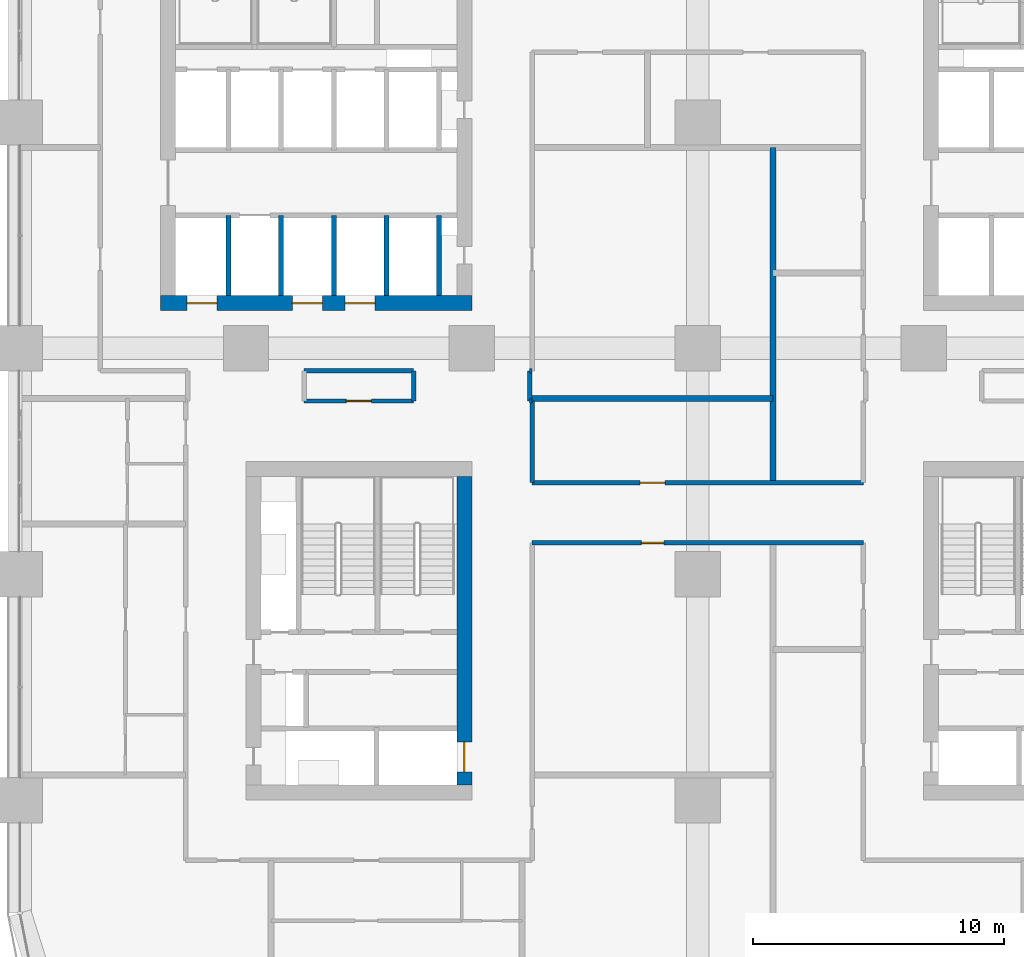
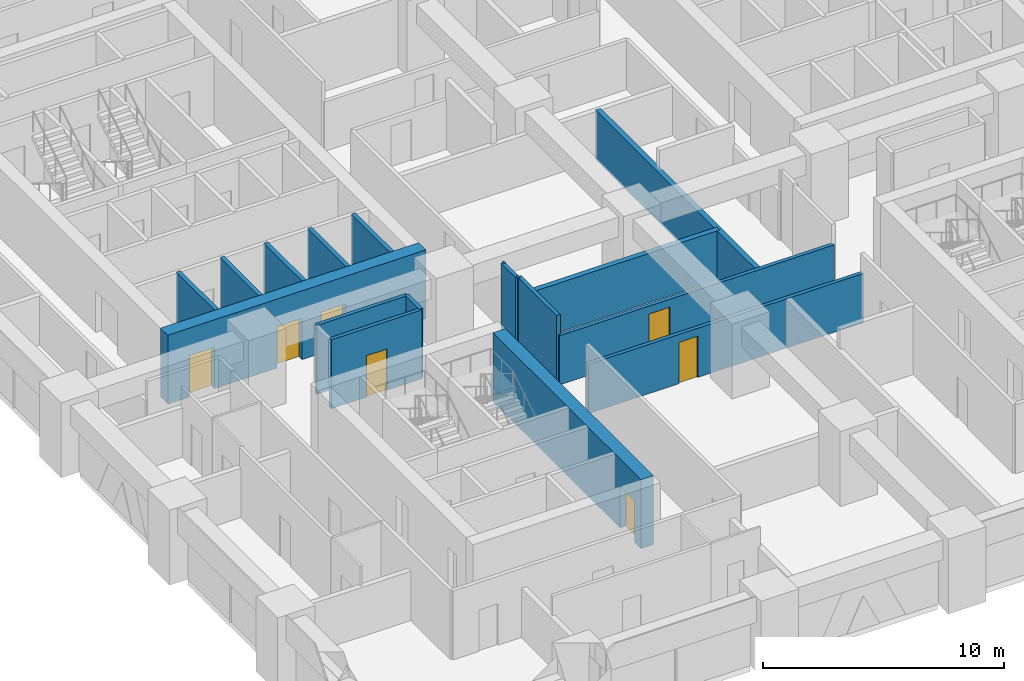
# One storey, part 13 of 21: 18 walls, 7 doors, 7 openings.
"""IFC4 building model written with IfcOpenShell, lengths in metres."""

from ifc_helpers import new_model, si_unit, direction, frame, frame_2d, origin, place, context, subcontext, project, spatial, rectangle, extrude, material, layer, layer_set, type_object, element, fill, save


model = new_model("IFC4")

# Units and contexts
model_context = context("Model", 3, precision=1e-05, world=origin(), true_north=direction((0.0, 1.0)))
body_context = subcontext(model_context, "Body", "Model", "MODEL_VIEW")
ifc_project = project(units=[si_unit("LENGTHUNIT", "METRE"), si_unit("AREAUNIT", "SQUARE_METRE"), si_unit("VOLUMEUNIT", "CUBIC_METRE"), si_unit("PLANEANGLEUNIT", "RADIAN"), si_unit("MASSUNIT", "GRAM", prefix="KILO")], contexts=[model_context])

# Site, building, storey
site_placement = place(None, origin())
site = spatial("IfcSite", under=ifc_project, at=site_placement, CompositionType="ELEMENT")
building_placement = place(site_placement, origin())
building = spatial("IfcBuilding", under=site, at=building_placement, Name="Tessera Arch", CompositionType="ELEMENT")
storey_placement = place(building_placement, frame((0.0, 0.0, 50.0)))
storey = spatial("IfcBuildingStorey", under=building, at=storey_placement, Name="L10", CompositionType="ELEMENT", Elevation=50.0)

# Wall, openings, doors
ifc_material_1 = material(Name="Concrete C70/85", Category="concrete")
ifc_layer_1 = layer(ifc_material_1, 0.60009765625)
ifc_layer_set_1 = layer_set([ifc_layer_1], Name="Core shell wall 600 C70-85")
wall_type_1 = type_object("IfcWallType", Name="Core shell wall 600 C70-85", PredefinedType="SHEAR", material=ifc_layer_set_1)
wall_1_placement = place(storey_placement, frame((5.60009765625, 28.800048828125, 0.0), z_axis=(0.0, 0.0, 1.0), x_axis=(1.0, 0.0, 0.0)))
wall_1 = element("IfcWall", 1, at=wall_1_placement, inside=storey, type_object=wall_type_1, Name="L10 C2 core wall S", PredefinedType="SHEAR", context=body_context, shape_type="SweptSolid", body=[
    extrude(rectangle(XDim=12.39990234375, YDim=0.60009765625, at=frame_2d((6.199951171875, 0.0))), origin(), (0.0, 0.0, 1.0), 3.5),
])
opening_1_placement = place(wall_1_placement, frame((1.050048828125, 0.0, 0.0)))
opening_1 = element("IfcOpeningElement", 2, at=opening_1_placement, cuts=wall_1, Name="Opening L10-C14", PredefinedType="OPENING", context=body_context, shape_type="SweptSolid", body=[
    extrude(rectangle(XDim=1.199951171875, YDim=2.10009765625, at=frame_2d((0.60009765625, 1.050048828125))), frame((0.0, 0.31005859375, 0.0), z_axis=(0.0, -1.0, 0.0), x_axis=(1.0, 0.0, 0.0)), (0.0, 0.0, 1.0), 0.6201171875),
])
opening_2_placement = place(wall_1_placement, frame((5.25, 0.0, 0.0)))
opening_2 = element("IfcOpeningElement", 3, at=opening_2_placement, cuts=wall_1, Name="Opening L10-C16", PredefinedType="OPENING", context=body_context, shape_type="SweptSolid", body=[
    extrude(rectangle(XDim=1.199951171875, YDim=2.10009765625, at=frame_2d((0.60009765625, 1.050048828125))), frame((0.0, 0.31005859375, 0.0), z_axis=(0.0, -1.0, 0.0), x_axis=(1.0, 0.0, 0.0)), (0.0, 0.0, 1.0), 0.6201171875),
])
opening_3_placement = place(wall_1_placement, frame((7.35009765625, 0.0, 0.0)))
opening_3 = element("IfcOpeningElement", 4, at=opening_3_placement, cuts=wall_1, Name="Opening L10-C17", PredefinedType="OPENING", context=body_context, shape_type="SweptSolid", body=[
    extrude(rectangle(XDim=1.199951171875, YDim=2.10009765625, at=frame_2d((0.60009765625, 1.050048828125))), frame((0.0, 0.31005859375, 0.0), z_axis=(0.0, -1.0, 0.0), x_axis=(1.0, 0.0, 0.0)), (0.0, 0.0, 1.0), 0.6201171875),
])
ifc_material_2 = material(Name="Stainless steel AISI 304", Category="steel")
door_type_1 = type_object("IfcDoorType", Name="Sliding landing door 1200 x 2100", OperationType="SLIDING_TO_LEFT", PredefinedType="DOOR", material=ifc_material_2)
door_1_placement = place(opening_1_placement, origin())
door_1 = element("IfcDoor", 5, at=door_1_placement, inside=storey, type_object=door_type_1, Name="L10 LR1 lift landing door C14 type LD", OperationType="SLIDING_TO_LEFT", OverallHeight=2.10009765625, OverallWidth=1.199951171875, PredefinedType="DOOR", context=body_context, shape_type="SweptSolid", body=[
    extrude(rectangle(XDim=1.199951171875, YDim=2.10009765625, at=frame_2d((0.60009765625, 1.050048828125))), frame((0.0, 0.02490234375, 0.0), z_axis=(0.0, -1.0, 0.0), x_axis=(1.0, 0.0, 0.0)), (0.0, 0.0, 1.0), 0.050048828125),
])
fill(opening_1, door_1)
door_2_placement = place(opening_2_placement, origin())
door_2 = element("IfcDoor", 6, at=door_2_placement, inside=storey, type_object=door_type_1, Name="L10 LR3 lift landing door C16 type LD", OperationType="SLIDING_TO_LEFT", OverallHeight=2.10009765625, OverallWidth=1.199951171875, PredefinedType="DOOR", context=body_context, shape_type="SweptSolid", body=[
    extrude(rectangle(XDim=1.199951171875, YDim=2.10009765625, at=frame_2d((0.60009765625, 1.050048828125))), frame((0.0, 0.02490234375, 0.0), z_axis=(0.0, -1.0, 0.0), x_axis=(1.0, 0.0, 0.0)), (0.0, 0.0, 1.0), 0.050048828125),
])
fill(opening_2, door_2)
door_3_placement = place(opening_3_placement, origin())
door_3 = element("IfcDoor", 7, at=door_3_placement, inside=storey, type_object=door_type_1, Name="L10 LR4 lift landing door C17 type LD", OperationType="SLIDING_TO_LEFT", OverallHeight=2.10009765625, OverallWidth=1.199951171875, PredefinedType="DOOR", context=body_context, shape_type="SweptSolid", body=[
    extrude(rectangle(XDim=1.199951171875, YDim=2.10009765625, at=frame_2d((0.60009765625, 1.050048828125))), frame((0.0, 0.02490234375, 0.0), z_axis=(0.0, -1.0, 0.0), x_axis=(1.0, 0.0, 0.0)), (0.0, 0.0, 1.0), 0.050048828125),
])
fill(opening_3, door_3)

# Wall, opening, door
wall_2_placement = place(storey_placement, frame((17.699951171875, 9.60009765625, 0.0), z_axis=(0.0, 0.0, 1.0), x_axis=(0.0, 1.0, 0.0)))
wall_2 = element("IfcWall", 8, at=wall_2_placement, inside=storey, type_object=wall_type_1, Name="L10 C4 core wall E", PredefinedType="SHEAR", context=body_context, shape_type="SweptSolid", body=[
    extrude(rectangle(XDim=12.2998046875, YDim=0.60009765625, at=frame_2d((6.14990234375, 0.0))), origin(), (0.0, 0.0, 1.0), 3.5),
])
opening_4_placement = place(wall_2_placement, frame((0.52490234375, 0.0, 0.0)))
opening_4 = element("IfcOpeningElement", 9, at=opening_4_placement, cuts=wall_2, Name="Opening L10-C42", PredefinedType="OPENING", context=body_context, shape_type="SweptSolid", body=[
    extrude(rectangle(XDim=1.199951171875, YDim=2.10009765625, at=frame_2d((0.60009765625, 1.050048828125))), frame((0.0, 0.31005859375, 0.0), z_axis=(0.0, -1.0, 0.0), x_axis=(1.0, 0.0, 0.0)), (0.0, 0.0, 1.0), 0.6201171875),
])
door_4_placement = place(opening_4_placement, origin())
door_4 = element("IfcDoor", 10, at=door_4_placement, inside=storey, type_object=door_type_1, Name="L10 SV3 lift landing door C42 type LD", OperationType="SLIDING_TO_LEFT", OverallHeight=2.10009765625, OverallWidth=1.199951171875, PredefinedType="DOOR", context=body_context, shape_type="SweptSolid", body=[
    extrude(rectangle(XDim=1.199951171875, YDim=2.10009765625, at=frame_2d((0.60009765625, 1.050048828125))), frame((0.0, 0.02490234375, 0.0), z_axis=(0.0, -1.0, 0.0), x_axis=(1.0, 0.0, 0.0)), (0.0, 0.0, 1.0), 0.050048828125),
])
fill(opening_4, door_4)

ifc_material_3 = material(Name="Gypsum board on deep steel stud with mineral wool", Category="steel")
ifc_layer_2 = layer(ifc_material_3, 0.175048828125)
ifc_layer_set_2 = layer_set([ifc_layer_2], Name="Corridor wall 175 EI 60")
wall_type_2 = type_object("IfcWallType", Name="Corridor wall 175 EI 60", PredefinedType="PARTITIONING", material=ifc_layer_set_2)
wall_3_placement = place(storey_placement, frame((20.39990234375, 19.25, 0.0), z_axis=(0.0, 0.0, 1.0), x_axis=(1.0, 0.0, 0.0)))
wall_3 = element("IfcWall", 11, at=wall_3_placement, inside=storey, type_object=wall_type_2, Name="L10 partition 3", PredefinedType="PARTITIONING", context=body_context, shape_type="SweptSolid", body=[
    extrude(rectangle(XDim=13.2001953125, YDim=0.175048828125, at=frame_2d((6.60009765625, 0.0))), origin(), (0.0, 0.0, 1.0), 2.5),
])
opening_5_placement = place(wall_3_placement, frame((4.35009765625, 0.0, 0.0)))
opening_5 = element("IfcOpeningElement", 12, at=opening_5_placement, cuts=wall_3, Name="Opening L10-D009", PredefinedType="OPENING", context=body_context, shape_type="SweptSolid", body=[
    extrude(rectangle(XDim=0.89990234375, YDim=2.10009765625, at=frame_2d((0.449951171875, 1.050048828125))), frame((0.0, 0.097412109375, 0.0), z_axis=(0.0, -1.0, 0.0), x_axis=(1.0, 0.0, 0.0)), (0.0, 0.0, 1.0), 0.195068359375),
])
ifc_material_4 = material(Name="Timber door leaf", Category="wood")
door_type_2 = type_object("IfcDoorType", Name="Room door 900 x 2100", OperationType="SINGLE_SWING_LEFT", PredefinedType="DOOR", material=ifc_material_4)
door_5_placement = place(opening_5_placement, origin())
door_5 = element("IfcDoor", 13, at=door_5_placement, inside=storey, type_object=door_type_2, Name="L10 door D009 type D01", OperationType="SINGLE_SWING_RIGHT", OverallHeight=2.10009765625, OverallWidth=0.89990234375, PredefinedType="DOOR", context=body_context, shape_type="SweptSolid", body=[
    extrude(rectangle(XDim=0.89990234375, YDim=2.10009765625, at=frame_2d((0.449951171875, 1.050048828125))), frame((0.0, 0.02490234375, 0.0), z_axis=(0.0, -1.0, 0.0), x_axis=(1.0, 0.0, 0.0)), (0.0, 0.0, 1.0), 0.050048828125),
])
fill(opening_5, door_5)

wall_4_placement = place(storey_placement, frame((20.39990234375, 21.64990234375, 0.0), z_axis=(0.0, 0.0, 1.0), x_axis=(1.0, 0.0, 0.0)))
wall_4 = element("IfcWall", 14, at=wall_4_placement, inside=storey, type_object=wall_type_2, Name="L10 partition 4", PredefinedType="PARTITIONING", context=body_context, shape_type="SweptSolid", body=[
    extrude(rectangle(XDim=13.2001953125, YDim=0.175048828125, at=frame_2d((6.60009765625, 0.0))), origin(), (0.0, 0.0, 1.0), 2.5),
])
opening_6_placement = place(wall_4_placement, frame((4.300048828125, 0.0, 0.0)))
opening_6 = element("IfcOpeningElement", 15, at=opening_6_placement, cuts=wall_4, Name="Opening L10-D020", PredefinedType="OPENING", context=body_context, shape_type="SweptSolid", body=[
    extrude(rectangle(XDim=1.0, YDim=2.10009765625, at=frame_2d((0.5, 1.050048828125))), frame((0.0, 0.097412109375, 0.0), z_axis=(0.0, -1.0, 0.0), x_axis=(1.0, 0.0, 0.0)), (0.0, 0.0, 1.0), 0.195068359375),
])
ifc_material_5 = material(Name="Fire-rated door leaf")
door_type_3 = type_object("IfcDoorType", Name="Entrance door FD30S 1000 x 2100", OperationType="SINGLE_SWING_LEFT", PredefinedType="DOOR", material=ifc_material_5)
door_6_placement = place(opening_6_placement, origin())
door_6 = element("IfcDoor", 16, at=door_6_placement, inside=storey, type_object=door_type_3, Name="L10 door D020 type D03", OperationType="SINGLE_SWING_RIGHT", OverallHeight=2.10009765625, OverallWidth=1.0, PredefinedType="DOOR", context=body_context, shape_type="SweptSolid", body=[
    extrude(rectangle(XDim=1.0, YDim=2.10009765625, at=frame_2d((0.5, 1.050048828125))), frame((0.0, 0.02490234375, 0.0), z_axis=(0.0, -1.0, 0.0), x_axis=(1.0, 0.0, 0.0)), (0.0, 0.0, 1.0), 0.050048828125),
])
fill(opening_6, door_6)

wall_5_placement = place(storey_placement, frame((11.320068359375, 24.89990234375, 0.0), z_axis=(0.0, 0.0, 1.0), x_axis=(1.0, 0.0, 0.0)))
wall_5 = element("IfcWall", 17, at=wall_5_placement, inside=storey, type_object=wall_type_2, Name="L10 partition 6", PredefinedType="PARTITIONING", context=body_context, shape_type="SweptSolid", body=[
    extrude(rectangle(XDim=4.35986328125, YDim=0.175048828125, at=frame_2d((2.179931640625, 0.0))), origin(), (0.0, 0.0, 1.0), 3.5),
])
opening_7_placement = place(wall_5_placement, frame((1.679931640625, 0.0, 0.0)))
opening_7 = element("IfcOpeningElement", 18, at=opening_7_placement, cuts=wall_5, Name="Opening L10-D022", PredefinedType="OPENING", context=body_context, shape_type="SweptSolid", body=[
    extrude(rectangle(XDim=1.0, YDim=2.10009765625, at=frame_2d((0.5, 1.050048828125))), frame((0.0, 0.097412109375, 0.0), z_axis=(0.0, -1.0, 0.0), x_axis=(1.0, 0.0, 0.0)), (0.0, 0.0, 1.0), 0.195068359375),
])
door_7_placement = place(opening_7_placement, origin())
door_7 = element("IfcDoor", 19, at=door_7_placement, inside=storey, type_object=door_type_3, Name="L10 door D022 type D03", OperationType="SINGLE_SWING_RIGHT", OverallHeight=2.10009765625, OverallWidth=1.0, PredefinedType="DOOR", context=body_context, shape_type="SweptSolid", body=[
    extrude(rectangle(XDim=1.0, YDim=2.10009765625, at=frame_2d((0.5, 1.050048828125))), frame((0.0, 0.02490234375, 0.0), z_axis=(0.0, -1.0, 0.0), x_axis=(1.0, 0.0, 0.0)), (0.0, 0.0, 1.0), 0.050048828125),
])
fill(opening_7, door_7)

# Walls
wall_6_placement = place(storey_placement, frame((20.300048828125, 24.89990234375, 0.0), z_axis=(0.0, 0.0, 1.0), x_axis=(1.0, 0.0, 0.0)))
element("IfcWall", 20, at=wall_6_placement, inside=storey, type_object=wall_type_2, Name="L10 partition 7", PredefinedType="PARTITIONING", context=body_context, shape_type="SweptSolid", body=[
    extrude(rectangle(XDim=0.099853515625, YDim=0.175048828125, at=frame_2d((0.0498046875, 0.0))), origin(), (0.0, 0.0, 1.0), 3.5),
])
wall_7_placement = place(storey_placement, frame((11.320068359375, 26.10009765625, 0.0), z_axis=(0.0, 0.0, 1.0), x_axis=(1.0, 0.0, 0.0)))
element("IfcWall", 21, at=wall_7_placement, inside=storey, type_object=wall_type_2, Name="L10 partition 12", PredefinedType="PARTITIONING", context=body_context, shape_type="SweptSolid", body=[
    extrude(rectangle(XDim=4.35986328125, YDim=0.175048828125, at=frame_2d((2.179931640625, 0.0))), origin(), (0.0, 0.0, 1.0), 3.5),
])
wall_8_placement = place(storey_placement, frame((20.300048828125, 26.10009765625, 0.0), z_axis=(0.0, 0.0, 1.0), x_axis=(1.0, 0.0, 0.0)))
element("IfcWall", 22, at=wall_8_placement, inside=storey, type_object=wall_type_2, Name="L10 partition 13", PredefinedType="PARTITIONING", context=body_context, shape_type="SweptSolid", body=[
    extrude(rectangle(XDim=0.099853515625, YDim=0.175048828125, at=frame_2d((0.0498046875, 0.0))), origin(), (0.0, 0.0, 1.0), 3.5),
])
for number, where, z_axis, x_axis, name in (
    (23, (15.679931640625, 24.89990234375, 0.0), (0.0, 0.0, 1.0), (0.0, 1.0, 0.0), "L10 partition 25"),
    (24, (20.300048828125, 24.89990234375, 0.0), (0.0, 0.0, 1.0), (0.0, 1.0, 0.0), "L10 partition 26"),
):
    element("IfcWall", number, at=place(storey_placement, frame(where, z_axis=z_axis, x_axis=x_axis)), inside=storey, type_object=wall_type_2, Name=name, PredefinedType="PARTITIONING", context=body_context, shape_type="SweptSolid", body=[
        extrude(rectangle(XDim=1.2001953125, YDim=0.175048828125, at=frame_2d((0.60009765625, 0.0))), origin(), (0.0, 0.0, 1.0), 3.5),
    ])
wall_9_placement = place(storey_placement, frame((20.39990234375, 21.64990234375, 0.0), z_axis=(0.0, 0.0, 1.0), x_axis=(0.0, 1.0, 0.0)))
element("IfcWall", 25, at=wall_9_placement, inside=storey, type_object=wall_type_2, Name="L10 partition 28", PredefinedType="PARTITIONING", context=body_context, shape_type="SweptSolid", body=[
    extrude(rectangle(XDim=3.25, YDim=0.175048828125, at=frame_2d((1.625, 0.0))), origin(), (0.0, 0.0, 1.0), 3.5),
])
ifc_material_6 = material(Name="Double gypsum board on twin steel stud with acoustic mineral wool", Category="steel")
ifc_layer_3 = layer(ifc_material_6, 0.25)
ifc_layer_set_3 = layer_set([ifc_layer_3], Name="Party wall 250 EI 60")
wall_type_3 = type_object("IfcWallType", Name="Party wall 250 EI 60", PredefinedType="PARTITIONING", material=ifc_layer_set_3)
wall_10_placement = place(storey_placement, frame((20.300048828125, 25.0, 0.0), z_axis=(0.0, 0.0, 1.0), x_axis=(1.0, 0.0, 0.0)))
element("IfcWall", 26, at=wall_10_placement, inside=storey, type_object=wall_type_3, Name="L10 partition 54", PredefinedType="PARTITIONING", context=body_context, shape_type="SweptSolid", body=[
    extrude(rectangle(XDim=9.699951171875, YDim=0.25, at=frame_2d((4.85009765625, 0.0))), origin(), (0.0, 0.0, 1.0), 2.5),
])
wall_11_placement = place(storey_placement, frame((30.0, 21.64990234375, 0.0), z_axis=(0.0, 0.0, 1.0), x_axis=(0.0, 1.0, 0.0)))
element("IfcWall", 27, at=wall_11_placement, inside=storey, type_object=wall_type_3, Name="L10 partition 70", PredefinedType="PARTITIONING", context=body_context, shape_type="SweptSolid", body=[
    extrude(rectangle(XDim=13.35009765625, YDim=0.25, at=frame_2d((6.675048828125, 0.0))), origin(), (0.0, 0.0, 1.0), 2.5),
])
ifc_material_7 = material(Name="Concrete C40/50", Category="concrete")
ifc_layer_4 = layer(ifc_material_7, 0.199951171875)
ifc_layer_set_4 = layer_set([ifc_layer_4], Name="Shaft wall 200 EI 120")
wall_type_4 = type_object("IfcWallType", Name="Shaft wall 200 EI 120", PredefinedType="SOLIDWALL", material=ifc_layer_set_4)
for number, where, z_axis, x_axis, name in (
    (28, (8.300048828125, 29.10009765625, 0.0), (0.0, 0.0, 1.0), (0.0, 1.0, 0.0), "L10 C2 shaft wall 1"),
    (29, (10.39990234375, 29.10009765625, 0.0), (0.0, 0.0, 1.0), (0.0, 1.0, 0.0), "L10 C2 shaft wall 6"),
    (30, (12.5, 29.10009765625, 0.0), (0.0, 0.0, 1.0), (0.0, 1.0, 0.0), "L10 C2 shaft wall 8"),
    (31, (14.60009765625, 29.10009765625, 0.0), (0.0, 0.0, 1.0), (0.0, 1.0, 0.0), "L10 C2 shaft wall 14"),
    (32, (16.699951171875, 29.10009765625, 0.0), (0.0, 0.0, 1.0), (0.0, 1.0, 0.0), "L10 C2 shaft wall 16"),
):
    element("IfcWall", number, at=place(storey_placement, frame(where, z_axis=z_axis, x_axis=x_axis)), inside=storey, type_object=wall_type_4, Name=name, PredefinedType="SOLIDWALL", context=body_context, shape_type="SweptSolid", body=[
        extrude(rectangle(XDim=3.199951171875, YDim=0.199951171875, at=frame_2d((1.60009765625, 0.0))), origin(), (0.0, 0.0, 1.0), 3.5),
    ])

save(model, "model.ifc")
